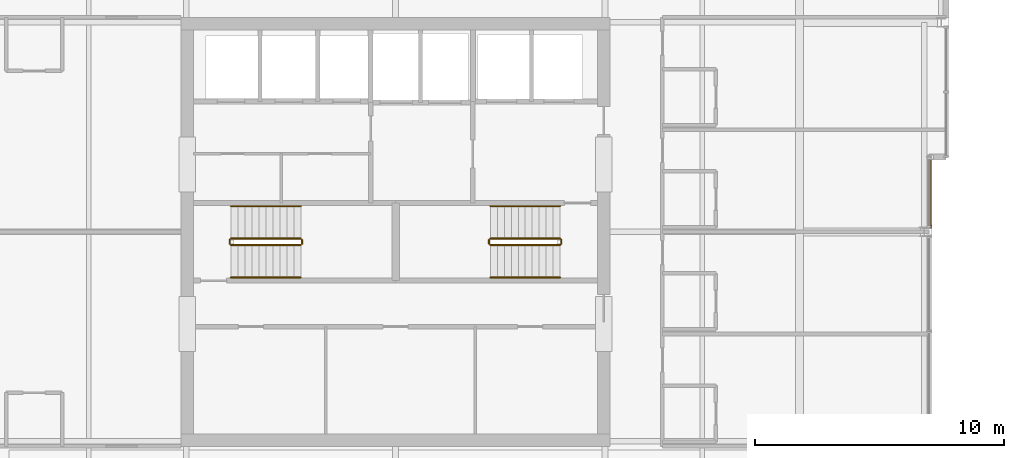
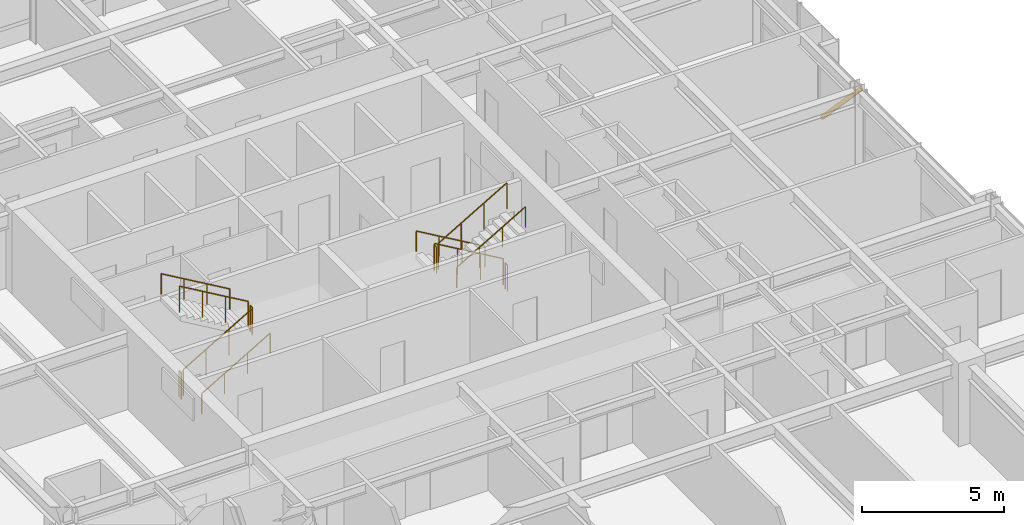
# One storey, part 31 of 32: 12 railings, 1 shading device.
"""IFC4 building model written with IfcOpenShell, lengths in metres."""

from ifc_helpers import new_model, si_unit, direction, frame, origin, origin_2d, place, context, subcontext, project, spatial, hollow_rectangle, circle, extrude, material, material_profile, profile_set, type_object, element, save


model = new_model("IFC4")

# Units and contexts
model_context = context("Model", 3, precision=1e-05, world=origin(), true_north=direction((0.0, 1.0)))
body_context = subcontext(model_context, "Body", "Model", "MODEL_VIEW")
ifc_project = project(units=[si_unit("LENGTHUNIT", "METRE"), si_unit("AREAUNIT", "SQUARE_METRE"), si_unit("VOLUMEUNIT", "CUBIC_METRE"), si_unit("PLANEANGLEUNIT", "RADIAN"), si_unit("MASSUNIT", "GRAM", prefix="KILO")], contexts=[model_context])

# Site, building, storey
site_placement = place(None, origin())
site = spatial("IfcSite", under=ifc_project, at=site_placement, CompositionType="ELEMENT")
building_placement = place(site_placement, origin())
building = spatial("IfcBuilding", under=site, at=building_placement, Name="Drelvath Grand Hotel", CompositionType="ELEMENT")
storey_placement = place(building_placement, frame((0.0, 0.0, 205.10009765625)))
storey = spatial("IfcBuildingStorey", under=building, at=storey_placement, Name="L53", CompositionType="ELEMENT", Elevation=205.10009765625)

# Railings
ifc_material_1 = material(Name="Painted Steel S275", Category="steel")
railing_type_1 = type_object("IfcRailingType", Name="Core Stair Wall Handrail 900", PredefinedType="HANDRAIL", material=ifc_material_1)
railing_1_placement = place(storey_placement, frame((-6.60009765625, 25.169921875, 0.16357421875)))
element("IfcRailing", 1, at=railing_1_placement, inside=storey, type_object=railing_type_1, Name="L53 ST-1 stair handrail 1", PredefinedType="HANDRAIL", context=body_context, shape_type="SweptSolid", body=[
    extrude(circle(Radius=0.02392578125, at=origin_2d()), frame((0.0, 0.0, 0.8759765625), z_axis=(0.863393664356, 0.0, 0.504530851732), x_axis=(0.0, 1.0, 0.0)), (0.0, 0.0, 1.0), 3.2431640625),
    extrude(circle(Radius=0.02099609375, at=origin_2d()), origin(), (0.0, 0.0, 1.0), 0.851806640625),
    extrude(circle(Radius=0.02099609375, at=origin_2d()), frame((0.933349609375, 0.0, 0.54541015625)), (0.0, 0.0, 1.0), 0.851806640625),
    extrude(circle(Radius=0.02099609375, at=origin_2d()), frame((1.86669921875, 0.0, 1.0908203125)), (0.0, 0.0, 1.0), 0.851806640625),
    extrude(circle(Radius=0.02099609375, at=origin_2d()), frame((2.800048828125, 0.0, 1.63623046875)), (0.0, 0.0, 1.0), 0.851806640625),
])
for number, where, name in (
    (2, (-3.800048828125, 28.030029296875, 1.963623046875), "L53 ST-1 stair handrail 2"),
    (3, (6.60009765625, 28.030029296875, 0.16357421875), "L53 ST-2 stair handrail 1"),
):
    element("IfcRailing", number, at=place(storey_placement, frame(where)), inside=storey, type_object=railing_type_1, Name=name, PredefinedType="HANDRAIL", context=body_context, shape_type="SweptSolid", body=[
        extrude(circle(Radius=0.02392578125, at=origin_2d()), frame((0.0, 0.0, 0.8759765625), z_axis=(-0.863393664356, 0.0, 0.504530851732), x_axis=(0.0, -1.0, 0.0)), (0.0, 0.0, 1.0), 3.2431640625),
        extrude(circle(Radius=0.02099609375, at=origin_2d()), origin(), (0.0, 0.0, 1.0), 0.851806640625),
        extrude(circle(Radius=0.02099609375, at=origin_2d()), frame((-0.933349609375, 0.0, 0.54541015625)), (0.0, 0.0, 1.0), 0.851806640625),
        extrude(circle(Radius=0.02099609375, at=origin_2d()), frame((-1.86669921875, 0.0, 1.0908203125)), (0.0, 0.0, 1.0), 0.851806640625),
        extrude(circle(Radius=0.02099609375, at=origin_2d()), frame((-2.800048828125, 0.0, 1.63623046875)), (0.0, 0.0, 1.0), 0.851806640625),
    ])
railing_2_placement = place(storey_placement, frame((3.800048828125, 25.169921875, 1.963623046875)))
element("IfcRailing", 4, at=railing_2_placement, inside=storey, type_object=railing_type_1, Name="L53 ST-2 stair handrail 2", PredefinedType="HANDRAIL", context=body_context, shape_type="SweptSolid", body=[
    extrude(circle(Radius=0.02392578125, at=origin_2d()), frame((0.0, 0.0, 0.8759765625), z_axis=(0.863393664356, 0.0, 0.504530851732), x_axis=(0.0, 1.0, 0.0)), (0.0, 0.0, 1.0), 3.2431640625),
    extrude(circle(Radius=0.02099609375, at=origin_2d()), origin(), (0.0, 0.0, 1.0), 0.851806640625),
    extrude(circle(Radius=0.02099609375, at=origin_2d()), frame((0.933349609375, 0.0, 0.54541015625)), (0.0, 0.0, 1.0), 0.851806640625),
    extrude(circle(Radius=0.02099609375, at=origin_2d()), frame((1.86669921875, 0.0, 1.0908203125)), (0.0, 0.0, 1.0), 0.851806640625),
    extrude(circle(Radius=0.02099609375, at=origin_2d()), frame((2.800048828125, 0.0, 1.63623046875)), (0.0, 0.0, 1.0), 0.851806640625),
])
railing_type_2 = type_object("IfcRailingType", Name="Core Stair Well Guardrail 1100", PredefinedType="GUARDRAIL", material=ifc_material_1)
railing_3_placement = place(storey_placement, frame((-6.60009765625, 26.469970703125, 0.16357421875)))
element("IfcRailing", 5, at=railing_3_placement, inside=storey, type_object=railing_type_2, Name="L53 ST-1 stair guard 1", PredefinedType="GUARDRAIL", context=body_context, shape_type="SweptSolid", body=[
    extrude(circle(Radius=0.02392578125, at=origin_2d()), frame((0.0, 0.0, 1.1259765625), z_axis=(0.863393664356, 0.0, 0.504530851732), x_axis=(0.0, 1.0, 0.0)), (0.0, 0.0, 1.0), 3.2431640625),
    extrude(circle(Radius=0.02099609375, at=origin_2d()), origin(), (0.0, 0.0, 1.0), 1.101806640625),
    extrude(circle(Radius=0.02099609375, at=origin_2d()), frame((0.933349609375, 0.0, 0.54541015625)), (0.0, 0.0, 1.0), 1.101806640625),
    extrude(circle(Radius=0.02099609375, at=origin_2d()), frame((1.86669921875, 0.0, 1.0908203125)), (0.0, 0.0, 1.0), 1.101806640625),
    extrude(circle(Radius=0.02099609375, at=origin_2d()), frame((2.800048828125, 0.0, 1.63623046875)), (0.0, 0.0, 1.0), 1.101806640625),
])
railing_4_placement = place(storey_placement, frame((-3.75, 26.52001953125, 1.7998046875)))
element("IfcRailing", 6, at=railing_4_placement, inside=storey, type_object=railing_type_2, Name="L53 ST-1 stair guard 2", PredefinedType="GUARDRAIL", context=body_context, shape_type="SweptSolid", body=[
    extrude(circle(Radius=0.02392578125, at=origin_2d()), frame((0.0, 0.0, 1.1259765625), z_axis=(0.0, 1.0, 0.0), x_axis=(-1.0, 0.0, 0.0)), (0.0, 0.0, 1.0), 0.159912109375),
    extrude(circle(Radius=0.02099609375, at=origin_2d()), origin(), (0.0, 0.0, 1.0), 1.101806640625),
    extrude(circle(Radius=0.02099609375, at=origin_2d()), frame((0.0, 0.159912109375, 0.0)), (0.0, 0.0, 1.0), 1.101806640625),
])
railing_5_placement = place(storey_placement, frame((-3.800048828125, 26.72998046875, 1.963623046875)))
element("IfcRailing", 7, at=railing_5_placement, inside=storey, type_object=railing_type_2, Name="L53 ST-1 stair guard 3", PredefinedType="GUARDRAIL", context=body_context, shape_type="SweptSolid", body=[
    extrude(circle(Radius=0.02392578125, at=origin_2d()), frame((0.0, 0.0, 1.1259765625), z_axis=(-0.863393664356, 0.0, 0.504530851732), x_axis=(0.0, -1.0, 0.0)), (0.0, 0.0, 1.0), 3.2431640625),
    extrude(circle(Radius=0.02099609375, at=origin_2d()), origin(), (0.0, 0.0, 1.0), 1.101806640625),
    extrude(circle(Radius=0.02099609375, at=origin_2d()), frame((-0.933349609375, 0.0, 0.54541015625)), (0.0, 0.0, 1.0), 1.101806640625),
    extrude(circle(Radius=0.02099609375, at=origin_2d()), frame((-1.86669921875, 0.0, 1.0908203125)), (0.0, 0.0, 1.0), 1.101806640625),
    extrude(circle(Radius=0.02099609375, at=origin_2d()), frame((-2.800048828125, 0.0, 1.63623046875)), (0.0, 0.0, 1.0), 1.101806640625),
])
railing_6_placement = place(storey_placement, frame((-6.64990234375, 26.52001953125, 0.0)))
element("IfcRailing", 8, at=railing_6_placement, inside=storey, type_object=railing_type_2, Name="L53 ST-1 stair guard 4", PredefinedType="GUARDRAIL", context=body_context, shape_type="SweptSolid", body=[
    extrude(circle(Radius=0.02392578125, at=origin_2d()), frame((0.0, 0.0, 1.1259765625), z_axis=(0.0, 1.0, 0.0), x_axis=(-1.0, 0.0, 0.0)), (0.0, 0.0, 1.0), 0.159912109375),
    extrude(circle(Radius=0.02099609375, at=origin_2d()), origin(), (0.0, 0.0, 1.0), 1.101806640625),
    extrude(circle(Radius=0.02099609375, at=origin_2d()), frame((0.0, 0.159912109375, 0.0)), (0.0, 0.0, 1.0), 1.101806640625),
])
railing_7_placement = place(storey_placement, frame((6.60009765625, 26.72998046875, 0.16357421875)))
element("IfcRailing", 9, at=railing_7_placement, inside=storey, type_object=railing_type_2, Name="L53 ST-2 stair guard 1", PredefinedType="GUARDRAIL", context=body_context, shape_type="SweptSolid", body=[
    extrude(circle(Radius=0.02392578125, at=origin_2d()), frame((0.0, 0.0, 1.1259765625), z_axis=(-0.863393664356, 0.0, 0.504530851732), x_axis=(0.0, -1.0, 0.0)), (0.0, 0.0, 1.0), 3.2431640625),
    extrude(circle(Radius=0.02099609375, at=origin_2d()), origin(), (0.0, 0.0, 1.0), 1.101806640625),
    extrude(circle(Radius=0.02099609375, at=origin_2d()), frame((-0.933349609375, 0.0, 0.54541015625)), (0.0, 0.0, 1.0), 1.101806640625),
    extrude(circle(Radius=0.02099609375, at=origin_2d()), frame((-1.86669921875, 0.0, 1.0908203125)), (0.0, 0.0, 1.0), 1.101806640625),
    extrude(circle(Radius=0.02099609375, at=origin_2d()), frame((-2.800048828125, 0.0, 1.63623046875)), (0.0, 0.0, 1.0), 1.101806640625),
])
railing_8_placement = place(storey_placement, frame((3.75, 26.679931640625, 1.7998046875)))
element("IfcRailing", 10, at=railing_8_placement, inside=storey, type_object=railing_type_2, Name="L53 ST-2 stair guard 2", PredefinedType="GUARDRAIL", context=body_context, shape_type="SweptSolid", body=[
    extrude(circle(Radius=0.02392578125, at=origin_2d()), frame((0.0, 0.0, 1.1259765625), z_axis=(0.0, -1.0, 0.0), x_axis=(1.0, 0.0, 0.0)), (0.0, 0.0, 1.0), 0.159912109375),
    extrude(circle(Radius=0.02099609375, at=origin_2d()), origin(), (0.0, 0.0, 1.0), 1.101806640625),
    extrude(circle(Radius=0.02099609375, at=origin_2d()), frame((0.0, -0.159912109375, 0.0)), (0.0, 0.0, 1.0), 1.101806640625),
])
railing_9_placement = place(storey_placement, frame((3.800048828125, 26.469970703125, 1.963623046875)))
element("IfcRailing", 11, at=railing_9_placement, inside=storey, type_object=railing_type_2, Name="L53 ST-2 stair guard 3", PredefinedType="GUARDRAIL", context=body_context, shape_type="SweptSolid", body=[
    extrude(circle(Radius=0.02392578125, at=origin_2d()), frame((0.0, 0.0, 1.1259765625), z_axis=(0.863393664356, 0.0, 0.504530851732), x_axis=(0.0, 1.0, 0.0)), (0.0, 0.0, 1.0), 3.2431640625),
    extrude(circle(Radius=0.02099609375, at=origin_2d()), origin(), (0.0, 0.0, 1.0), 1.101806640625),
    extrude(circle(Radius=0.02099609375, at=origin_2d()), frame((0.933349609375, 0.0, 0.54541015625)), (0.0, 0.0, 1.0), 1.101806640625),
    extrude(circle(Radius=0.02099609375, at=origin_2d()), frame((1.86669921875, 0.0, 1.0908203125)), (0.0, 0.0, 1.0), 1.101806640625),
    extrude(circle(Radius=0.02099609375, at=origin_2d()), frame((2.800048828125, 0.0, 1.63623046875)), (0.0, 0.0, 1.0), 1.101806640625),
])
railing_10_placement = place(storey_placement, frame((6.64990234375, 26.679931640625, 0.0)))
element("IfcRailing", 12, at=railing_10_placement, inside=storey, type_object=railing_type_2, Name="L53 ST-2 stair guard 4", PredefinedType="GUARDRAIL", context=body_context, shape_type="SweptSolid", body=[
    extrude(circle(Radius=0.02392578125, at=origin_2d()), frame((0.0, 0.0, 1.1259765625), z_axis=(0.0, -1.0, 0.0), x_axis=(1.0, 0.0, 0.0)), (0.0, 0.0, 1.0), 0.159912109375),
    extrude(circle(Radius=0.02099609375, at=origin_2d()), origin(), (0.0, 0.0, 1.0), 1.101806640625),
    extrude(circle(Radius=0.02099609375, at=origin_2d()), frame((0.0, -0.159912109375, 0.0)), (0.0, 0.0, 1.0), 1.101806640625),
])

# Shading device
ifc_material_2 = material(Name="Platinum-Mist Anodised Aluminium", Category="aluminium")
ifc_material_profile = material_profile(ifc_material_2, hollow_rectangle(XDim=0.06494140625, YDim=0.159912109375, WallThickness=0.00390625, at=origin_2d()), Name="HSS160X65X4")
ifc_profile_set = profile_set([ifc_material_profile], Name="Platinum-Mist Anodised Aluminium")
shading_device_type = type_object("IfcShadingDeviceType", Name="Diagonal Solar Fin Platinum Anodised HSS160X65X4", PredefinedType="USERDEFINED", material=ifc_profile_set)
shading_device_placement = place(storey_placement, frame((21.47998046875, 30.0, 0.179931640625), z_axis=(0.0, -0.686658509865, 0.726980117218), x_axis=(1.0, 0.0, 0.0)))
element("IfcShadingDevice", 13, at=shading_device_placement, inside=storey, type_object=shading_device_type, Name="L53 Diagonal Anodised Fin CW05-L53-EM2", ObjectType="FIN", PredefinedType="USERDEFINED", context=body_context, shape_type="SweptSolid", body=[
    extrude(hollow_rectangle(XDim=0.06494140625, YDim=0.159912109375, WallThickness=0.00390625, at=origin_2d()), origin(), (0.0, 0.0, 1.0), 4.09912109375),
])

save(model, "model.ifc")
